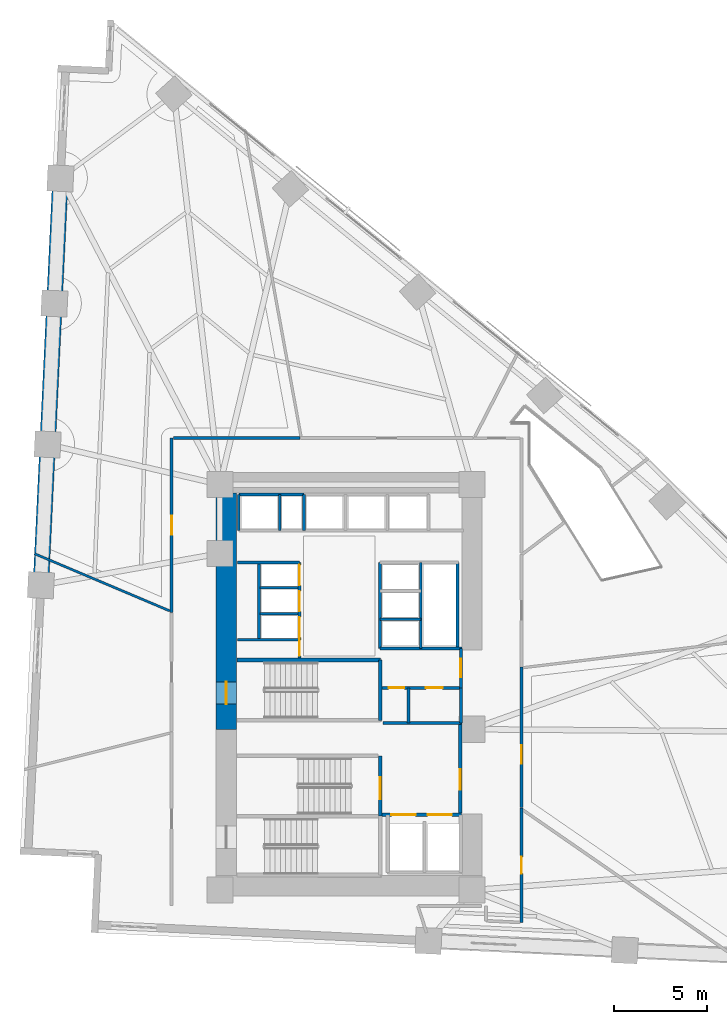
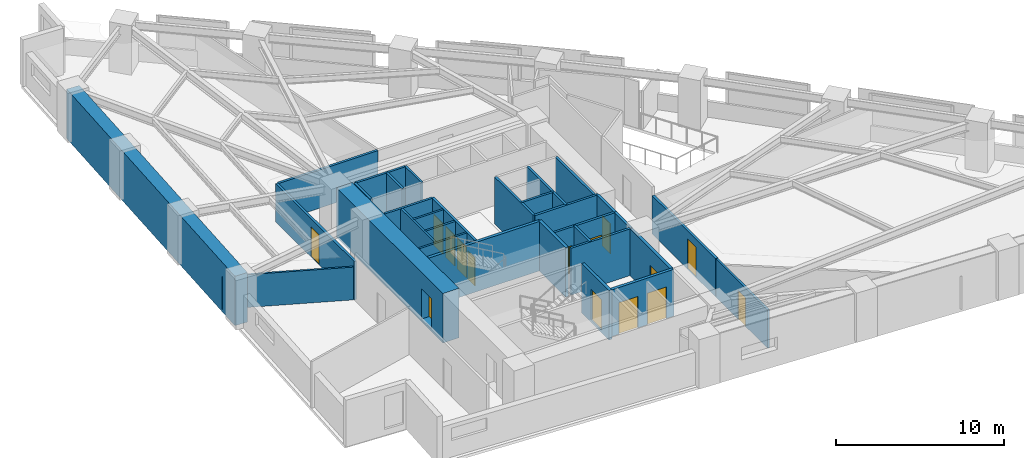
# One storey, part 13 of 17: 32 walls, 15 doors, 15 openings.
"""IFC4 building model written with IfcOpenShell, lengths in metres."""

from ifc_helpers import new_model, si_unit, direction, frame, frame_2d, origin, place, context, subcontext, project, spatial, rectangle, extrude, material, layer, layer_set, type_object, element, fill, save


model = new_model("IFC4")

# Units and contexts
model_context = context("Model", 3, precision=1e-05, world=origin(), true_north=direction((0.0, 1.0)))
body_context = subcontext(model_context, "Body", "Model", "MODEL_VIEW")
ifc_project = project(units=[si_unit("LENGTHUNIT", "METRE"), si_unit("AREAUNIT", "SQUARE_METRE"), si_unit("VOLUMEUNIT", "CUBIC_METRE"), si_unit("PLANEANGLEUNIT", "RADIAN"), si_unit("MASSUNIT", "GRAM", prefix="KILO")], contexts=[model_context])

# Site, building, storey
site_placement = place(None, origin())
site = spatial("IfcSite", under=ifc_project, at=site_placement, CompositionType="ELEMENT")
building_placement = place(site_placement, origin())
building = spatial("IfcBuilding", under=site, at=building_placement, Name="Narakoshi Arena Tower", CompositionType="ELEMENT")
storey_placement = place(building_placement, frame((0.0, 0.0, 30.300048828125)))
storey = spatial("IfcBuildingStorey", under=building, at=storey_placement, Name="L07", CompositionType="ELEMENT", Elevation=30.300048828125)

# Wall, opening, door
ifc_material_1 = material(Name="Concrete C60/75", Category="concrete")
ifc_layer_1 = layer(ifc_material_1, 1.10009765625)
ifc_layer_set_1 = layer_set([ifc_layer_1], Name="Concrete C60/75")
wall_type_1 = type_object("IfcWallType", Name="WL-CORE-1100", PredefinedType="SHEAR", material=ifc_layer_set_1)
wall_1_placement = place(storey_placement, frame((72.35009765625, 43.35009765625, -0.199951171875), z_axis=(0.0, 0.0, 1.0), x_axis=(0.0, 1.0, 0.0)))
wall_1 = element("IfcWall", 1, at=wall_1_placement, inside=storey, type_object=wall_type_1, Name="L07 Main Core Shear Wall CW-MN-W", PredefinedType="SHEAR", context=body_context, shape_type="SweptSolid", body=[
    extrude(rectangle(XDim=12.699951171875, YDim=1.10009765625, at=frame_2d((6.35009765625, 0.0))), origin(), (0.0, 0.0, 1.0), 3.599853515625),
])
opening_1_placement = place(wall_1_placement, frame((1.35009765625, 0.0, 0.199951171875)))
opening_1 = element("IfcOpeningElement", 2, at=opening_1_placement, cuts=wall_1, Name="Opening D-03", PredefinedType="OPENING", context=body_context, shape_type="SweptSolid", body=[
    extrude(rectangle(XDim=1.199951171875, YDim=2.199951171875, at=frame_2d((0.60009765625, 1.10009765625))), frame((0.0, 0.56005859375, 0.0), z_axis=(0.0, -1.0, 0.0), x_axis=(1.0, 0.0, 0.0)), (0.0, 0.0, 1.0), 1.1201171875),
])
ifc_material_2 = material(Name="Painted galvanized steel", Category="steel")
door_type_1 = type_object("IfcDoorType", Name="DR-STR-1200", OperationType="NOTDEFINED", PredefinedType="USERDEFINED", material=ifc_material_2)
door_1_placement = place(opening_1_placement, frame((1.199951171875, 0.0, 0.0), z_axis=(0.0, 0.0, 1.0), x_axis=(-1.0, 0.0, 0.0)))
door_1 = element("IfcDoor", 3, at=door_1_placement, inside=storey, type_object=door_type_1, Name="DR-L07-006", ObjectType="EXITDOOR", OperationType="SINGLE_SWING_LEFT", OverallHeight=2.199951171875, OverallWidth=1.199951171875, PredefinedType="USERDEFINED", context=body_context, shape_type="SweptSolid", body=[
    extrude(rectangle(XDim=1.199951171875, YDim=2.199951171875, at=frame_2d((0.60009765625, 1.10009765625))), frame((0.0, 0.02490234375, 0.0), z_axis=(0.0, -1.0, 0.0), x_axis=(1.0, 0.0, 0.0)), (0.0, 0.0, 1.0), 0.050048828125),
])
fill(opening_1, door_1)

ifc_material_3 = material(Name="Gypsum plasterboard fire-rated partition")
ifc_layer_2 = layer(ifc_material_3, 0.1650390625)
ifc_layer_set_2 = layer_set([ifc_layer_2], Name="Gypsum plasterboard fire-rated partition")
wall_type_2 = type_object("IfcWallType", Name="WL-CORR-165", PredefinedType="PARTITIONING", material=ifc_layer_set_2)
wall_2_placement = place(storey_placement, frame((84.949951171875, 45.580078125, 0.0), z_axis=(0.0, 0.0, 1.0), x_axis=(0.0, 1.0, 0.0)))
wall_2 = element("IfcWall", 4, at=wall_2_placement, inside=storey, type_object=wall_type_2, Name="L07 Core Wall CPAS-E", PredefinedType="PARTITIONING", context=body_context, shape_type="SweptSolid", body=[
    extrude(rectangle(XDim=2.119873046875, YDim=0.1650390625, at=frame_2d((1.06005859375, 0.0))), origin(), (0.0, 0.0, 1.0), 3.39990234375),
])
opening_2_placement = place(wall_2_placement, frame((0.56005859375, 0.0, 0.0)))
opening_2 = element("IfcOpeningElement", 5, at=opening_2_placement, cuts=wall_2, Name="Opening D-06", PredefinedType="OPENING", context=body_context, shape_type="SweptSolid", body=[
    extrude(rectangle(XDim=1.0, YDim=2.199951171875, at=frame_2d((0.5, 1.10009765625))), frame((0.0, 0.092529296875, 0.0), z_axis=(0.0, -1.0, 0.0), x_axis=(1.0, 0.0, 0.0)), (0.0, 0.0, 1.0), 0.18505859375),
])
ifc_material_4 = material(Name="Stained oak solid-core timber", Category="wood")
door_type_2 = type_object("IfcDoorType", Name="DR-OFF-1000", OperationType="NOTDEFINED", PredefinedType="DOOR", material=ifc_material_4)
door_2_placement = place(opening_2_placement, frame((1.0, 0.0, 0.0), z_axis=(0.0, 0.0, 1.0), x_axis=(-1.0, 0.0, 0.0)))
door_2 = element("IfcDoor", 6, at=door_2_placement, inside=storey, type_object=door_type_2, Name="DR-L07-007", OperationType="SINGLE_SWING_LEFT", OverallHeight=2.199951171875, OverallWidth=1.0, PredefinedType="DOOR", context=body_context, shape_type="SweptSolid", body=[
    extrude(rectangle(XDim=1.0, YDim=2.199951171875, at=frame_2d((0.5, 1.10009765625))), frame((0.0, 0.02490234375, 0.0), z_axis=(0.0, -1.0, 0.0), x_axis=(1.0, 0.0, 0.0)), (0.0, 0.0, 1.0), 0.050048828125),
])
fill(opening_2, door_2)

wall_3_placement = place(storey_placement, frame((88.20947265625, 39.135498046875, 0.0), z_axis=(0.0, 0.0, 1.0), x_axis=(0.0, 1.0, 0.0)))
wall_3 = element("IfcWall", 7, at=wall_3_placement, inside=storey, type_object=wall_type_2, Name="L07 Corridor Partition 03-1", PredefinedType="PARTITIONING", context=body_context, shape_type="SweptSolid", body=[
    extrude(rectangle(XDim=7.54931640625, YDim=0.1650390625, at=frame_2d((3.774658203125, 0.0))), origin(), (0.0, 0.0, 1.0), 2.784912109375),
])
opening_3_placement = place(wall_3_placement, frame((2.352294921875, 0.0, 0.0)))
opening_3 = element("IfcOpeningElement", 8, at=opening_3_placement, cuts=wall_3, Name="Opening D-06", PredefinedType="OPENING", context=body_context, shape_type="SweptSolid", body=[
    extrude(rectangle(XDim=1.0, YDim=2.199951171875, at=frame_2d((0.5, 1.10009765625))), frame((0.0, 0.092529296875, 0.0), z_axis=(0.0, -1.0, 0.0), x_axis=(1.0, 0.0, 0.0)), (0.0, 0.0, 1.0), 0.18505859375),
])
door_3_placement = place(opening_3_placement, frame((1.0, 0.0, 0.0), z_axis=(0.0, 0.0, 1.0), x_axis=(-1.0, 0.0, 0.0)))
door_3 = element("IfcDoor", 9, at=door_3_placement, inside=storey, type_object=door_type_2, Name="DR-L07-016", OperationType="SINGLE_SWING_LEFT", OverallHeight=2.199951171875, OverallWidth=1.0, PredefinedType="DOOR", context=body_context, shape_type="SweptSolid", body=[
    extrude(rectangle(XDim=1.0, YDim=2.199951171875, at=frame_2d((0.5, 1.10009765625))), frame((0.0, 0.02490234375, 0.0), z_axis=(0.0, -1.0, 0.0), x_axis=(1.0, 0.0, 0.0)), (0.0, 0.0, 1.0), 0.050048828125),
])
fill(opening_3, door_3)

wall_4_placement = place(storey_placement, frame((69.402587890625, 58.99755859375, 0.0), z_axis=(0.0, 0.0, 1.0), x_axis=(0.0, -1.0, 0.0)))
wall_4 = element("IfcWall", 10, at=wall_4_placement, inside=storey, type_object=wall_type_2, Name="L07 Corridor Partition 07-1", PredefinedType="PARTITIONING", context=body_context, shape_type="SweptSolid", body=[
    extrude(rectangle(XDim=9.366455078125, YDim=0.1650390625, at=frame_2d((4.68310546875, 0.0))), origin(), (0.0, 0.0, 1.0), 2.784912109375),
])
opening_4_placement = place(wall_4_placement, frame((4.18310546875, 0.0, 0.0)))
opening_4 = element("IfcOpeningElement", 11, at=opening_4_placement, cuts=wall_4, Name="Opening D-06", PredefinedType="OPENING", context=body_context, shape_type="SweptSolid", body=[
    extrude(rectangle(XDim=1.0, YDim=2.199951171875, at=frame_2d((0.5, 1.10009765625))), frame((0.0, 0.092529296875, 0.0), z_axis=(0.0, -1.0, 0.0), x_axis=(1.0, 0.0, 0.0)), (0.0, 0.0, 1.0), 0.18505859375),
])
door_4_placement = place(opening_4_placement, frame((1.0, 0.0, 0.0), z_axis=(0.0, 0.0, 1.0), x_axis=(-1.0, 0.0, 0.0)))
door_4 = element("IfcDoor", 12, at=door_4_placement, inside=storey, type_object=door_type_2, Name="DR-L07-020", OperationType="SINGLE_SWING_LEFT", OverallHeight=2.199951171875, OverallWidth=1.0, PredefinedType="DOOR", context=body_context, shape_type="SweptSolid", body=[
    extrude(rectangle(XDim=1.0, YDim=2.199951171875, at=frame_2d((0.5, 1.10009765625))), frame((0.0, 0.02490234375, 0.0), z_axis=(0.0, -1.0, 0.0), x_axis=(1.0, 0.0, 0.0)), (0.0, 0.0, 1.0), 0.050048828125),
])
fill(opening_4, door_4)

# Walls
wall_5_placement = place(storey_placement, frame((76.31689453125, 58.99755859375, 0.0), z_axis=(0.0, 0.0, 1.0), x_axis=(-1.0, 0.0, 0.0)))
element("IfcWall", 13, at=wall_5_placement, inside=storey, type_object=wall_type_2, Name="L07 Corridor Partition 07-2", PredefinedType="PARTITIONING", context=body_context, shape_type="SweptSolid", body=[
    extrude(rectangle(XDim=6.81982421875, YDim=0.1650390625, at=frame_2d((3.409912109375, 0.0))), origin(), (0.0, 0.0, 1.0), 2.784912109375),
])
ifc_layer_3 = layer(ifc_material_1, 0.85009765625)
ifc_layer_set_3 = layer_set([ifc_layer_3], Name="Concrete C60/75")
wall_type_3 = type_object("IfcWallType", Name="WL-LEG-850", PredefinedType="SHEAR", material=ifc_layer_set_3)
wall_6_placement = place(storey_placement, frame((63.42822265625, 72.95654296875, -0.199951171875), z_axis=(0.0, 0.0, 1.0), x_axis=(-0.047976309476, -0.998848473858, 0.0)))
element("IfcWall", 14, at=wall_6_placement, inside=storey, type_object=wall_type_3, Name="L07 Architectural Concrete Structural Wall LEGB-2", PredefinedType="SHEAR", context=body_context, shape_type="SweptSolid", body=[
    extrude(rectangle(XDim=21.891845703125, YDim=0.85009765625, at=frame_2d((10.94580078125, 0.0))), origin(), (0.0, 0.0, 1.0), 3.599853515625),
])
ifc_layer_4 = layer(ifc_material_3, 0.125)
ifc_layer_set_4 = layer_set([ifc_layer_4], Name="Gypsum plasterboard fire-rated partition")
wall_type_4 = type_object("IfcWallType", Name="WL-PART-125", PredefinedType="PARTITIONING", material=ifc_layer_set_4)
wall_7_placement = place(storey_placement, frame((69.30810546875, 49.710205078125, 0.0), z_axis=(0.0, 0.0, 1.0), x_axis=(-0.921029102653, 0.389493763834, 0.0)))
element("IfcWall", 15, at=wall_7_placement, inside=storey, type_object=wall_type_4, Name="L07 Inter-Room Partition 07-08", PredefinedType="PARTITIONING", context=body_context, shape_type="SweptSolid", body=[
    extrude(rectangle(XDim=7.89794921875, YDim=0.125, at=frame_2d((3.948974609375, 0.0))), origin(), (0.0, 0.0, 1.0), 2.385009765625),
])
ifc_material_5 = material(Name="Concrete C40/50", Category="concrete")
ifc_layer_5 = layer(ifc_material_5, 0.280029296875)
ifc_layer_set_5 = layer_set([ifc_layer_5], Name="Concrete C40/50")
wall_type_5 = type_object("IfcWallType", Name="WL-RISER-280", PredefinedType="PLUMBINGWALL", material=ifc_layer_set_5)
wall_8_placement = place(storey_placement, frame((84.949951171875, 43.679931640625, 0.0), z_axis=(0.0, 0.0, 1.0), x_axis=(0.0, 1.0, 0.0)))
element("IfcWall", 16, at=wall_8_placement, inside=storey, type_object=wall_type_5, Name="L07 Core Wall RSR-E", PredefinedType="PLUMBINGWALL", context=body_context, shape_type="SweptSolid", body=[
    extrude(rectangle(XDim=1.900146484375, YDim=0.1650390625, at=frame_2d((0.9501953125, 0.0))), origin(), (0.0, 0.0, 1.0), 3.39990234375),
])

# Wall, openings, doors
wall_9_placement = place(storey_placement, frame((80.719970703125, 45.580078125, 0.0), z_axis=(0.0, 0.0, 1.0), x_axis=(1.0, 0.0, 0.0)))
wall_9 = element("IfcWall", 17, at=wall_9_placement, inside=storey, type_object=wall_type_5, Name="L07 Core Wall RSR-N", PredefinedType="PLUMBINGWALL", context=body_context, shape_type="SweptSolid", body=[
    extrude(rectangle(XDim=4.22998046875, YDim=0.159912109375, at=frame_2d((2.114990234375, 0.0))), origin(), (0.0, 0.0, 1.0), 3.39990234375),
])
opening_5_placement = place(wall_9_placement, frame((0.35009765625, 0.0, 0.0)))
opening_5 = element("IfcOpeningElement", 18, at=opening_5_placement, cuts=wall_9, Name="Opening D-10", PredefinedType="OPENING", context=body_context, shape_type="SweptSolid", body=[
    extrude(rectangle(XDim=0.85009765625, YDim=2.050048828125, at=frame_2d((0.425048828125, 1.02490234375))), frame((0.0, 0.08984375, 0.0), z_axis=(0.0, -1.0, 0.0), x_axis=(1.0, 0.0, 0.0)), (0.0, 0.0, 1.0), 0.179931640625),
])
opening_6_placement = place(wall_9_placement, frame((2.35009765625, 0.0, 0.0)))
opening_6 = element("IfcOpeningElement", 19, at=opening_6_placement, cuts=wall_9, Name="Opening D-08", PredefinedType="OPENING", context=body_context, shape_type="SweptSolid", body=[
    extrude(rectangle(XDim=0.89990234375, YDim=2.10009765625, at=frame_2d((0.449951171875, 1.050048828125))), frame((0.0, 0.08984375, 0.0), z_axis=(0.0, -1.0, 0.0), x_axis=(1.0, 0.0, 0.0)), (0.0, 0.0, 1.0), 0.179931640625),
])
door_type_3 = type_object("IfcDoorType", Name="DR-RSR-850", OperationType="NOTDEFINED", PredefinedType="DOOR", material=ifc_material_2)
door_5_placement = place(opening_5_placement, frame((0.85009765625, 0.0, 0.0), z_axis=(0.0, 0.0, 1.0), x_axis=(-1.0, 0.0, 0.0)))
door_5 = element("IfcDoor", 20, at=door_5_placement, inside=storey, type_object=door_type_3, Name="DR-L07-008", OperationType="SINGLE_SWING_LEFT", OverallHeight=2.050048828125, OverallWidth=0.85009765625, PredefinedType="DOOR", context=body_context, shape_type="SweptSolid", body=[
    extrude(rectangle(XDim=0.85009765625, YDim=2.050048828125, at=frame_2d((0.425048828125, 1.02490234375))), frame((0.0, 0.02490234375, 0.0), z_axis=(0.0, -1.0, 0.0), x_axis=(1.0, 0.0, 0.0)), (0.0, 0.0, 1.0), 0.050048828125),
])
fill(opening_5, door_5)
ifc_material_6 = material(Name="Moisture-resistant laminate timber", Category="wood")
door_type_4 = type_object("IfcDoorType", Name="DR-WC-900", OperationType="NOTDEFINED", PredefinedType="DOOR", material=ifc_material_6)
door_6_placement = place(opening_6_placement, frame((0.89990234375, 0.0, 0.0), z_axis=(0.0, 0.0, 1.0), x_axis=(-1.0, 0.0, 0.0)))
door_6 = element("IfcDoor", 21, at=door_6_placement, inside=storey, type_object=door_type_4, Name="DR-L07-009", OperationType="SINGLE_SWING_RIGHT", OverallHeight=2.10009765625, OverallWidth=0.89990234375, PredefinedType="DOOR", context=body_context, shape_type="SweptSolid", body=[
    extrude(rectangle(XDim=0.89990234375, YDim=2.10009765625, at=frame_2d((0.449951171875, 1.050048828125))), frame((0.0, 0.02490234375, 0.0), z_axis=(0.0, -1.0, 0.0), x_axis=(1.0, 0.0, 0.0)), (0.0, 0.0, 1.0), 0.050048828125),
])
fill(opening_6, door_6)

# Walls
wall_10_placement = place(storey_placement, frame((80.760009765625, 43.679931640625, 0.0), z_axis=(0.0, 0.0, 1.0), x_axis=(1.0, 0.0, 0.0)))
element("IfcWall", 22, at=wall_10_placement, inside=storey, type_object=wall_type_5, Name="L07 Core Wall RSR-S", PredefinedType="PLUMBINGWALL", context=body_context, shape_type="SweptSolid", body=[
    extrude(rectangle(XDim=4.18994140625, YDim=0.159912109375, at=frame_2d((2.094970703125, 0.0))), origin(), (0.0, 0.0, 1.0), 3.39990234375),
])
wall_11_placement = place(storey_placement, frame((82.14990234375, 43.679931640625, 0.0), z_axis=(0.0, 0.0, 1.0), x_axis=(0.0, 1.0, 0.0)))
element("IfcWall", 23, at=wall_11_placement, inside=storey, type_object=wall_type_5, Name="L07 Core Wall RSR-M", PredefinedType="PLUMBINGWALL", context=body_context, shape_type="SweptSolid", body=[
    extrude(rectangle(XDim=1.900146484375, YDim=0.159912109375, at=frame_2d((0.9501953125, 0.0))), origin(), (0.0, 0.0, 1.0), 3.39990234375),
])
wall_12_placement = place(storey_placement, frame((72.949951171875, 48.159912109375, 0.0), z_axis=(0.0, 0.0, 1.0), x_axis=(1.0, 0.0, 0.0)))
element("IfcWall", 24, at=wall_12_placement, inside=storey, type_object=wall_type_5, Name="L07 Core Wall LR-S0", PredefinedType="PLUMBINGWALL", context=body_context, shape_type="SweptSolid", body=[
    extrude(rectangle(XDim=3.239990234375, YDim=0.139892578125, at=frame_2d((1.6201171875, 0.0))), origin(), (0.0, 0.0, 1.0), 3.39990234375),
])
for number, where, z_axis, x_axis, name in (
    (25, (74.14990234375, 49.550048828125, 0.0), (0.0, 0.0, 1.0), (1.0, 0.0, 0.0), "L07 Core Wall LR-D1"),
    (26, (74.14990234375, 50.949951171875, 0.0), (0.0, 0.0, 1.0), (1.0, 0.0, 0.0), "L07 Core Wall LR-D2"),
):
    element("IfcWall", number, at=place(storey_placement, frame(where, z_axis=z_axis, x_axis=x_axis)), inside=storey, type_object=wall_type_5, Name=name, PredefinedType="PLUMBINGWALL", context=body_context, shape_type="SweptSolid", body=[
        extrude(rectangle(XDim=2.0400390625, YDim=0.139892578125, at=frame_2d((1.02001953125, 0.0))), origin(), (0.0, 0.0, 1.0), 3.39990234375),
    ])
wall_13_placement = place(storey_placement, frame((74.10009765625, 48.159912109375, 0.0), z_axis=(0.0, 0.0, 1.0), x_axis=(0.0, 1.0, 0.0)))
element("IfcWall", 27, at=wall_13_placement, inside=storey, type_object=wall_type_5, Name="L07 Core Wall LR-W", PredefinedType="PLUMBINGWALL", context=body_context, shape_type="SweptSolid", body=[
    extrude(rectangle(XDim=4.16015625, YDim=0.139892578125, at=frame_2d((2.080078125, 0.0))), origin(), (0.0, 0.0, 1.0), 3.39990234375),
])
wall_14_placement = place(storey_placement, frame((80.60009765625, 49.260009765625, 0.0), z_axis=(0.0, 0.0, 1.0), x_axis=(1.0, 0.0, 0.0)))
element("IfcWall", 28, at=wall_14_placement, inside=storey, type_object=wall_type_5, Name="L07 Core Wall MR-D1", PredefinedType="PLUMBINGWALL", context=body_context, shape_type="SweptSolid", body=[
    extrude(rectangle(XDim=2.199951171875, YDim=0.14990234375, at=frame_2d((1.10009765625, 0.0))), origin(), (0.0, 0.0, 1.0), 3.39990234375),
])
wall_15_placement = place(storey_placement, frame((82.800048828125, 47.699951171875, 0.0), z_axis=(0.0, 0.0, 1.0), x_axis=(0.0, 1.0, 0.0)))
element("IfcWall", 29, at=wall_15_placement, inside=storey, type_object=wall_type_5, Name="L07 Core Wall MR-E", PredefinedType="PLUMBINGWALL", context=body_context, shape_type="SweptSolid", body=[
    extrude(rectangle(XDim=4.60009765625, YDim=0.14990234375, at=frame_2d((2.300048828125, 0.0))), origin(), (0.0, 0.0, 1.0), 3.39990234375),
])
for number, where, z_axis, x_axis, name in (
    (30, (73.02001953125, 54.02001953125, 0.0), (0.0, 0.0, 1.0), (0.0, 1.0, 0.0), "L07 Core Wall OBS-W"),
    (31, (75.219970703125, 54.02001953125, 0.0), (0.0, 0.0, 1.0), (0.0, 1.0, 0.0), "L07 Core Wall OBS-M"),
):
    element("IfcWall", number, at=place(storey_placement, frame(where, z_axis=z_axis, x_axis=x_axis)), inside=storey, type_object=wall_type_5, Name=name, PredefinedType="PLUMBINGWALL", context=body_context, shape_type="SweptSolid", body=[
        extrude(rectangle(XDim=1.93994140625, YDim=0.14990234375, at=frame_2d((0.969970703125, 0.0))), origin(), (0.0, 0.0, 1.0), 3.39990234375),
    ])

# Wall, opening, door
ifc_material_7 = material(Name="Concrete C50/60", Category="concrete")
ifc_layer_6 = layer(ifc_material_7, 0.35009765625)
ifc_layer_set_6 = layer_set([ifc_layer_6], Name="Concrete C50/60")
wall_type_6 = type_object("IfcWallType", Name="WL-SHAFT-350", PredefinedType="SOLIDWALL", material=ifc_layer_set_6)
wall_16_placement = place(storey_placement, frame((80.6201171875, 38.675048828125, -0.199951171875), z_axis=(0.0, 0.0, 1.0), x_axis=(0.0, 1.0, 0.0)))
wall_16 = element("IfcWall", 32, at=wall_16_placement, inside=storey, type_object=wall_type_6, Name="L07 Core Wall ST2-E", PredefinedType="SOLIDWALL", context=body_context, shape_type="SweptSolid", body=[
    extrude(rectangle(XDim=3.244873046875, YDim=0.199951171875, at=frame_2d((1.62255859375, 0.0))), origin(), (0.0, 0.0, 1.0), 3.599853515625),
])
opening_7_placement = place(wall_16_placement, frame((0.89990234375, 0.0, 0.199951171875)))
opening_7 = element("IfcOpeningElement", 33, at=opening_7_placement, cuts=wall_16, Name="Opening D-03", PredefinedType="OPENING", context=body_context, shape_type="SweptSolid", body=[
    extrude(rectangle(XDim=1.199951171875, YDim=2.199951171875, at=frame_2d((0.60009765625, 1.10009765625))), frame((0.0, 0.10986328125, 0.0), z_axis=(0.0, -1.0, 0.0), x_axis=(1.0, 0.0, 0.0)), (0.0, 0.0, 1.0), 0.219970703125),
])
door_7_placement = place(opening_7_placement, origin())
door_7 = element("IfcDoor", 34, at=door_7_placement, inside=storey, type_object=door_type_1, Name="DR-L07-002", ObjectType="EXITDOOR", OperationType="SINGLE_SWING_RIGHT", OverallHeight=2.199951171875, OverallWidth=1.199951171875, PredefinedType="USERDEFINED", context=body_context, shape_type="SweptSolid", body=[
    extrude(rectangle(XDim=1.199951171875, YDim=2.199951171875, at=frame_2d((0.60009765625, 1.10009765625))), frame((0.0, 0.02490234375, 0.0), z_axis=(0.0, -1.0, 0.0), x_axis=(1.0, 0.0, 0.0)), (0.0, 0.0, 1.0), 0.050048828125),
])
fill(opening_7, door_7)

# Wall, openings, doors
wall_17_placement = place(storey_placement, frame((80.719970703125, 38.75, 0.0), z_axis=(0.0, 0.0, 1.0), x_axis=(1.0, 0.0, 0.0)))
wall_17 = element("IfcWall", 35, at=wall_17_placement, inside=storey, type_object=wall_type_6, Name="L07 Core Wall FF-N", PredefinedType="SOLIDWALL", context=body_context, shape_type="SweptSolid", body=[
    extrude(rectangle(XDim=4.260009765625, YDim=0.199951171875, at=frame_2d((2.1298828125, 0.0))), origin(), (0.0, 0.0, 1.0), 3.39990234375),
])
opening_8_placement = place(wall_17_placement, frame((0.5, 0.0, 0.0)))
opening_8 = element("IfcOpeningElement", 36, at=opening_8_placement, cuts=wall_17, Name="Opening LD-02", PredefinedType="OPENING", context=body_context, shape_type="SweptSolid", body=[
    extrude(rectangle(XDim=1.300048828125, YDim=2.300048828125, at=frame_2d((0.64990234375, 1.14990234375))), frame((0.0, 0.10986328125, 0.0), z_axis=(0.0, -1.0, 0.0), x_axis=(1.0, 0.0, 0.0)), (0.0, 0.0, 1.0), 0.219970703125),
])
opening_9_placement = place(wall_17_placement, frame((2.449951171875, 0.0, 0.0)))
opening_9 = element("IfcOpeningElement", 37, at=opening_9_placement, cuts=wall_17, Name="Opening LD-02", PredefinedType="OPENING", context=body_context, shape_type="SweptSolid", body=[
    extrude(rectangle(XDim=1.300048828125, YDim=2.300048828125, at=frame_2d((0.64990234375, 1.14990234375))), frame((0.0, 0.10986328125, 0.0), z_axis=(0.0, -1.0, 0.0), x_axis=(1.0, 0.0, 0.0)), (0.0, 0.0, 1.0), 0.219970703125),
])
ifc_material_8 = material(Name="Brushed bronze stainless steel", Category="steel")
door_type_5 = type_object("IfcDoorType", Name="DR-LFT-1300", OperationType="DOUBLE_DOOR_SLIDING", PredefinedType="DOOR", material=ifc_material_8)
door_8_placement = place(opening_8_placement, origin())
door_8 = element("IfcDoor", 38, at=door_8_placement, inside=storey, type_object=door_type_5, Name="DR-L07-003", OperationType="DOUBLE_DOOR_SLIDING", OverallHeight=2.300048828125, OverallWidth=1.300048828125, PredefinedType="DOOR", context=body_context, shape_type="SweptSolid", body=[
    extrude(rectangle(XDim=1.300048828125, YDim=2.300048828125, at=frame_2d((0.64990234375, 1.14990234375))), frame((0.0, 0.02490234375, 0.0), z_axis=(0.0, -1.0, 0.0), x_axis=(1.0, 0.0, 0.0)), (0.0, 0.0, 1.0), 0.050048828125),
])
fill(opening_8, door_8)
door_9_placement = place(opening_9_placement, origin())
door_9 = element("IfcDoor", 39, at=door_9_placement, inside=storey, type_object=door_type_5, Name="DR-L07-004", OperationType="DOUBLE_DOOR_SLIDING", OverallHeight=2.300048828125, OverallWidth=1.300048828125, PredefinedType="DOOR", context=body_context, shape_type="SweptSolid", body=[
    extrude(rectangle(XDim=1.300048828125, YDim=2.300048828125, at=frame_2d((0.64990234375, 1.14990234375))), frame((0.0, 0.02490234375, 0.0), z_axis=(0.0, -1.0, 0.0), x_axis=(1.0, 0.0, 0.0)), (0.0, 0.0, 1.0), 0.050048828125),
])
fill(opening_9, door_9)

# Wall, opening, door
wall_18_placement = place(storey_placement, frame((84.919921875, 38.85009765625, 0.0), z_axis=(0.0, 0.0, 1.0), x_axis=(0.0, 1.0, 0.0)))
wall_18 = element("IfcWall", 40, at=wall_18_placement, inside=storey, type_object=wall_type_6, Name="L07 Core Wall FFLOB-E", PredefinedType="SOLIDWALL", context=body_context, shape_type="SweptSolid", body=[
    extrude(rectangle(XDim=4.829833984375, YDim=0.199951171875, at=frame_2d((2.4150390625, 0.0))), origin(), (0.0, 0.0, 1.0), 3.39990234375),
])
opening_10_placement = place(wall_18_placement, frame((1.25, 0.0, 0.0)))
opening_10 = element("IfcOpeningElement", 41, at=opening_10_placement, cuts=wall_18, Name="Opening D-04", PredefinedType="OPENING", context=body_context, shape_type="SweptSolid", body=[
    extrude(rectangle(XDim=1.10009765625, YDim=2.199951171875, at=frame_2d((0.550048828125, 1.10009765625))), frame((0.0, 0.10986328125, 0.0), z_axis=(0.0, -1.0, 0.0), x_axis=(1.0, 0.0, 0.0)), (0.0, 0.0, 1.0), 0.219970703125),
])
door_type_6 = type_object("IfcDoorType", Name="DR-FFL-1100", OperationType="NOTDEFINED", PredefinedType="DOOR", material=ifc_material_2)
door_10_placement = place(opening_10_placement, frame((1.10009765625, 0.0, 0.0), z_axis=(0.0, 0.0, 1.0), x_axis=(-1.0, 0.0, 0.0)))
door_10 = element("IfcDoor", 42, at=door_10_placement, inside=storey, type_object=door_type_6, Name="DR-L07-005", OperationType="SINGLE_SWING_RIGHT", OverallHeight=2.199951171875, OverallWidth=1.10009765625, PredefinedType="DOOR", context=body_context, shape_type="SweptSolid", body=[
    extrude(rectangle(XDim=1.10009765625, YDim=2.199951171875, at=frame_2d((0.550048828125, 1.10009765625))), frame((0.0, 0.02490234375, 0.0), z_axis=(0.0, -1.0, 0.0), x_axis=(1.0, 0.0, 0.0)), (0.0, 0.0, 1.0), 0.050048828125),
])
fill(opening_10, door_10)

# Walls
wall_19_placement = place(storey_placement, frame((72.919921875, 47.070068359375, -0.199951171875), z_axis=(0.0, 0.0, 1.0), x_axis=(1.0, 0.0, 0.0)))
element("IfcWall", 43, at=wall_19_placement, inside=storey, type_object=wall_type_6, Name="L07 Core Wall ST3-N", PredefinedType="SOLIDWALL", context=body_context, shape_type="SweptSolid", body=[
    extrude(rectangle(XDim=7.7001953125, YDim=0.199951171875, at=frame_2d((3.85009765625, 0.0))), origin(), (0.0, 0.0, 1.0), 3.599853515625),
])
wall_20_placement = place(storey_placement, frame((80.6201171875, 43.830078125, -0.199951171875), z_axis=(0.0, 0.0, 1.0), x_axis=(0.0, 1.0, 0.0)))
element("IfcWall", 44, at=wall_20_placement, inside=storey, type_object=wall_type_6, Name="L07 Core Wall ST3-E", PredefinedType="SOLIDWALL", context=body_context, shape_type="SweptSolid", body=[
    extrude(rectangle(XDim=3.239990234375, YDim=0.199951171875, at=frame_2d((1.6201171875, 0.0))), origin(), (0.0, 0.0, 1.0), 3.599853515625),
])

# Wall, openings, doors
wall_21_placement = place(storey_placement, frame((76.280029296875, 47.179931640625, 0.0), z_axis=(0.0, 0.0, 1.0), x_axis=(0.0, 1.0, 0.0)))
wall_21 = element("IfcWall", 45, at=wall_21_placement, inside=storey, type_object=wall_type_6, Name="L07 Core Wall LR-E", PredefinedType="SOLIDWALL", context=body_context, shape_type="SweptSolid", body=[
    extrude(rectangle(XDim=5.14013671875, YDim=0.159912109375, at=frame_2d((2.570068359375, 0.0))), origin(), (0.0, 0.0, 1.0), 3.39990234375),
])
opening_11_placement = place(wall_21_placement, frame((1.10009765625, 0.0, 0.0)))
opening_11 = element("IfcOpeningElement", 46, at=opening_11_placement, cuts=wall_21, Name="Opening LD-01", PredefinedType="OPENING", context=body_context, shape_type="SweptSolid", body=[
    extrude(rectangle(XDim=1.10009765625, YDim=2.25, at=frame_2d((0.550048828125, 1.125))), frame((0.0, 0.08984375, 0.0), z_axis=(0.0, -1.0, 0.0), x_axis=(1.0, 0.0, 0.0)), (0.0, 0.0, 1.0), 0.179931640625),
])
opening_12_placement = place(wall_21_placement, frame((2.5, 0.0, 0.0)))
opening_12 = element("IfcOpeningElement", 47, at=opening_12_placement, cuts=wall_21, Name="Opening LD-01", PredefinedType="OPENING", context=body_context, shape_type="SweptSolid", body=[
    extrude(rectangle(XDim=1.10009765625, YDim=2.25, at=frame_2d((0.550048828125, 1.125))), frame((0.0, 0.08984375, 0.0), z_axis=(0.0, -1.0, 0.0), x_axis=(1.0, 0.0, 0.0)), (0.0, 0.0, 1.0), 0.179931640625),
])
opening_13_placement = place(wall_21_placement, frame((3.89990234375, 0.0, 0.0)))
opening_13 = element("IfcOpeningElement", 48, at=opening_13_placement, cuts=wall_21, Name="Opening LD-01", PredefinedType="OPENING", context=body_context, shape_type="SweptSolid", body=[
    extrude(rectangle(XDim=1.10009765625, YDim=2.25, at=frame_2d((0.550048828125, 1.125))), frame((0.0, 0.08984375, 0.0), z_axis=(0.0, -1.0, 0.0), x_axis=(1.0, 0.0, 0.0)), (0.0, 0.0, 1.0), 0.179931640625),
])
opening_14_placement = place(wall_21_placement, frame((0.1201171875, 0.0, 0.0)))
opening_14 = element("IfcOpeningElement", 49, at=opening_14_placement, cuts=wall_21, Name="Opening D-10", PredefinedType="OPENING", context=body_context, shape_type="SweptSolid", body=[
    extrude(rectangle(XDim=0.85009765625, YDim=2.050048828125, at=frame_2d((0.425048828125, 1.02490234375))), frame((0.0, 0.08984375, 0.0), z_axis=(0.0, -1.0, 0.0), x_axis=(1.0, 0.0, 0.0)), (0.0, 0.0, 1.0), 0.179931640625),
])
door_type_7 = type_object("IfcDoorType", Name="DR-LFT-1100", OperationType="DOUBLE_DOOR_SLIDING", PredefinedType="DOOR", material=ifc_material_8)
door_11_placement = place(opening_11_placement, origin())
door_11 = element("IfcDoor", 50, at=door_11_placement, inside=storey, type_object=door_type_7, Name="DR-L07-010", OperationType="DOUBLE_DOOR_SLIDING", OverallHeight=2.25, OverallWidth=1.10009765625, PredefinedType="DOOR", context=body_context, shape_type="SweptSolid", body=[
    extrude(rectangle(XDim=1.10009765625, YDim=2.25, at=frame_2d((0.550048828125, 1.125))), frame((0.0, 0.02490234375, 0.0), z_axis=(0.0, -1.0, 0.0), x_axis=(1.0, 0.0, 0.0)), (0.0, 0.0, 1.0), 0.050048828125),
])
fill(opening_11, door_11)
door_12_placement = place(opening_12_placement, origin())
door_12 = element("IfcDoor", 51, at=door_12_placement, inside=storey, type_object=door_type_7, Name="DR-L07-011", OperationType="DOUBLE_DOOR_SLIDING", OverallHeight=2.25, OverallWidth=1.10009765625, PredefinedType="DOOR", context=body_context, shape_type="SweptSolid", body=[
    extrude(rectangle(XDim=1.10009765625, YDim=2.25, at=frame_2d((0.550048828125, 1.125))), frame((0.0, 0.02490234375, 0.0), z_axis=(0.0, -1.0, 0.0), x_axis=(1.0, 0.0, 0.0)), (0.0, 0.0, 1.0), 0.050048828125),
])
fill(opening_12, door_12)
door_13_placement = place(opening_13_placement, origin())
door_13 = element("IfcDoor", 52, at=door_13_placement, inside=storey, type_object=door_type_7, Name="DR-L07-012", OperationType="DOUBLE_DOOR_SLIDING", OverallHeight=2.25, OverallWidth=1.10009765625, PredefinedType="DOOR", context=body_context, shape_type="SweptSolid", body=[
    extrude(rectangle(XDim=1.10009765625, YDim=2.25, at=frame_2d((0.550048828125, 1.125))), frame((0.0, 0.02490234375, 0.0), z_axis=(0.0, -1.0, 0.0), x_axis=(1.0, 0.0, 0.0)), (0.0, 0.0, 1.0), 0.050048828125),
])
fill(opening_13, door_13)
door_14_placement = place(opening_14_placement, frame((0.85009765625, 0.0, 0.0), z_axis=(0.0, 0.0, 1.0), x_axis=(-1.0, 0.0, 0.0)))
door_14 = element("IfcDoor", 53, at=door_14_placement, inside=storey, type_object=door_type_3, Name="DR-L07-013", OperationType="SINGLE_SWING_LEFT", OverallHeight=2.050048828125, OverallWidth=0.85009765625, PredefinedType="DOOR", context=body_context, shape_type="SweptSolid", body=[
    extrude(rectangle(XDim=0.85009765625, YDim=2.050048828125, at=frame_2d((0.425048828125, 1.02490234375))), frame((0.0, 0.02490234375, 0.0), z_axis=(0.0, -1.0, 0.0), x_axis=(1.0, 0.0, 0.0)), (0.0, 0.0, 1.0), 0.050048828125),
])
fill(opening_14, door_14)

# Walls
wall_22_placement = place(storey_placement, frame((72.949951171875, 52.320068359375, 0.0), z_axis=(0.0, 0.0, 1.0), x_axis=(1.0, 0.0, 0.0)))
element("IfcWall", 54, at=wall_22_placement, inside=storey, type_object=wall_type_6, Name="L07 Core Wall LR-N", PredefinedType="SOLIDWALL", context=body_context, shape_type="SweptSolid", body=[
    extrude(rectangle(XDim=3.330078125, YDim=0.14990234375, at=frame_2d((1.6650390625, 0.0))), origin(), (0.0, 0.0, 1.0), 3.39990234375),
])
wall_23_placement = place(storey_placement, frame((80.60009765625, 47.699951171875, 0.0), z_axis=(0.0, 0.0, 1.0), x_axis=(0.0, 1.0, 0.0)))
element("IfcWall", 55, at=wall_23_placement, inside=storey, type_object=wall_type_6, Name="L07 Core Wall MR-W", PredefinedType="SOLIDWALL", context=body_context, shape_type="SweptSolid", body=[
    extrude(rectangle(XDim=4.60009765625, YDim=0.159912109375, at=frame_2d((2.300048828125, 0.0))), origin(), (0.0, 0.0, 1.0), 3.39990234375),
])
wall_24_placement = place(storey_placement, frame((80.60009765625, 47.699951171875, 0.0), z_axis=(0.0, 0.0, 1.0), x_axis=(1.0, 0.0, 0.0)))
element("IfcWall", 56, at=wall_24_placement, inside=storey, type_object=wall_type_6, Name="L07 Core Wall MR-S", PredefinedType="SOLIDWALL", context=body_context, shape_type="SweptSolid", body=[
    extrude(rectangle(XDim=4.39990234375, YDim=0.159912109375, at=frame_2d((2.199951171875, 0.0))), origin(), (0.0, 0.0, 1.0), 3.39990234375),
])
wall_25_placement = place(storey_placement, frame((84.780029296875, 47.699951171875, 0.0), z_axis=(0.0, 0.0, 1.0), x_axis=(0.0, 1.0, 0.0)))
element("IfcWall", 57, at=wall_25_placement, inside=storey, type_object=wall_type_6, Name="L07 Core Wall MR-E2", PredefinedType="SOLIDWALL", context=body_context, shape_type="SweptSolid", body=[
    extrude(rectangle(XDim=4.60009765625, YDim=0.159912109375, at=frame_2d((2.300048828125, 0.0))), origin(), (0.0, 0.0, 1.0), 3.39990234375),
])
wall_26_placement = place(storey_placement, frame((73.02001953125, 55.9599609375, 0.0), z_axis=(0.0, 0.0, 1.0), x_axis=(1.0, 0.0, 0.0)))
element("IfcWall", 58, at=wall_26_placement, inside=storey, type_object=wall_type_6, Name="L07 Core Wall OBS-N", PredefinedType="SOLIDWALL", context=body_context, shape_type="SweptSolid", body=[
    extrude(rectangle(XDim=3.5, YDim=0.14990234375, at=frame_2d((1.75, 0.0))), origin(), (0.0, 0.0, 1.0), 3.39990234375),
])
wall_27_placement = place(storey_placement, frame((76.52001953125, 54.02001953125, 0.0), z_axis=(0.0, 0.0, 1.0), x_axis=(0.0, 1.0, 0.0)))
element("IfcWall", 59, at=wall_27_placement, inside=storey, type_object=wall_type_6, Name="L07 Core Wall OBS-E", PredefinedType="SOLIDWALL", context=body_context, shape_type="SweptSolid", body=[
    extrude(rectangle(XDim=1.93994140625, YDim=0.14990234375, at=frame_2d((0.969970703125, 0.0))), origin(), (0.0, 0.0, 1.0), 3.39990234375),
])

# Wall, opening, door
ifc_material_9 = material(Name="Moisture-resistant cement-board partition")
ifc_layer_7 = layer(ifc_material_9, 0.14501953125)
ifc_layer_set_7 = layer_set([ifc_layer_7], Name="Moisture-resistant cement-board partition")
wall_type_7 = type_object("IfcWallType", Name="WL-WET-145", PredefinedType="PARTITIONING", material=ifc_layer_set_7)
wall_28_placement = place(storey_placement, frame((88.20947265625, 32.965576171875, 0.0), z_axis=(0.0, 0.0, 1.0), x_axis=(0.0, 1.0, 0.0)))
wall_28 = element("IfcWall", 60, at=wall_28_placement, inside=storey, type_object=wall_type_7, Name="L07 Corridor Partition 02-1", PredefinedType="PARTITIONING", context=body_context, shape_type="SweptSolid", body=[
    extrude(rectangle(XDim=6.140869140625, YDim=0.14501953125, at=frame_2d((3.0703125, 0.0))), origin(), (0.0, 0.0, 1.0), 2.784912109375),
])
opening_15_placement = place(wall_28_placement, frame((2.620361328125, 0.0, 0.0)))
opening_15 = element("IfcOpeningElement", 61, at=opening_15_placement, cuts=wall_28, Name="Opening D-08", PredefinedType="OPENING", context=body_context, shape_type="SweptSolid", body=[
    extrude(rectangle(XDim=0.89990234375, YDim=2.10009765625, at=frame_2d((0.449951171875, 1.050048828125))), frame((0.0, 0.08251953125, 0.0), z_axis=(0.0, -1.0, 0.0), x_axis=(1.0, 0.0, 0.0)), (0.0, 0.0, 1.0), 0.1650390625),
])
door_15_placement = place(opening_15_placement, frame((0.89990234375, 0.0, 0.0), z_axis=(0.0, 0.0, 1.0), x_axis=(-1.0, 0.0, 0.0)))
door_15 = element("IfcDoor", 62, at=door_15_placement, inside=storey, type_object=door_type_4, Name="DR-L07-015", OperationType="SINGLE_SWING_LEFT", OverallHeight=2.10009765625, OverallWidth=0.89990234375, PredefinedType="DOOR", context=body_context, shape_type="SweptSolid", body=[
    extrude(rectangle(XDim=0.89990234375, YDim=2.10009765625, at=frame_2d((0.449951171875, 1.050048828125))), frame((0.0, 0.02490234375, 0.0), z_axis=(0.0, -1.0, 0.0), x_axis=(1.0, 0.0, 0.0)), (0.0, 0.0, 1.0), 0.050048828125),
])
fill(opening_15, door_15)

save(model, "model.ifc")
